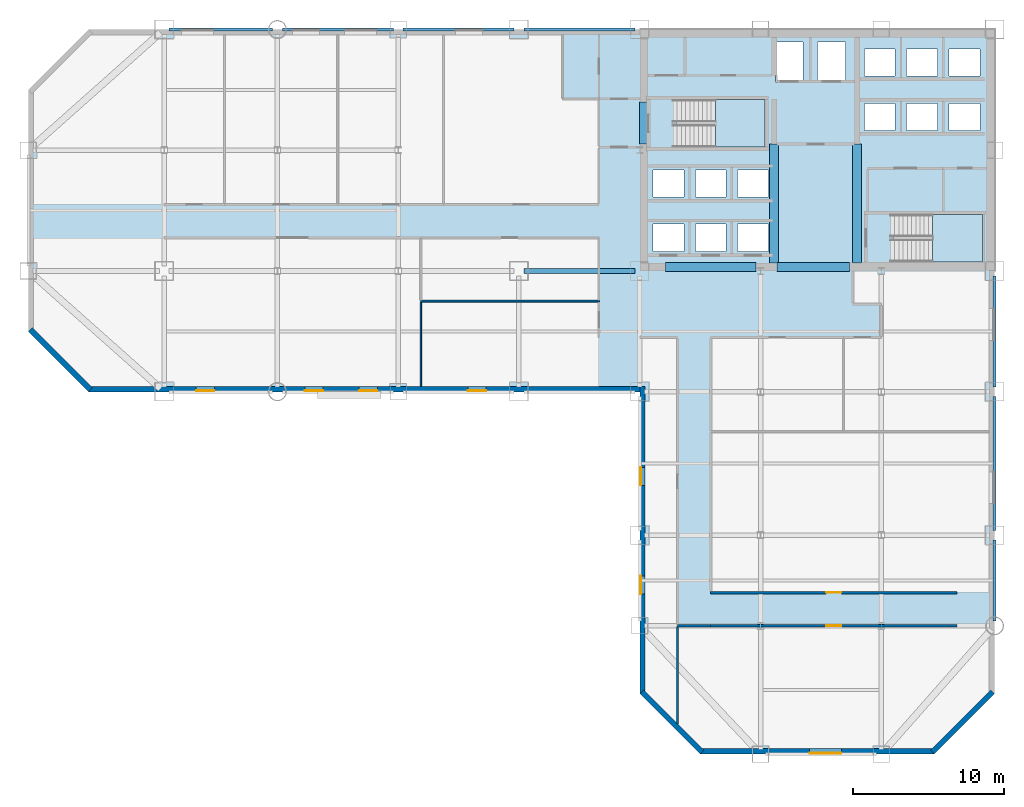
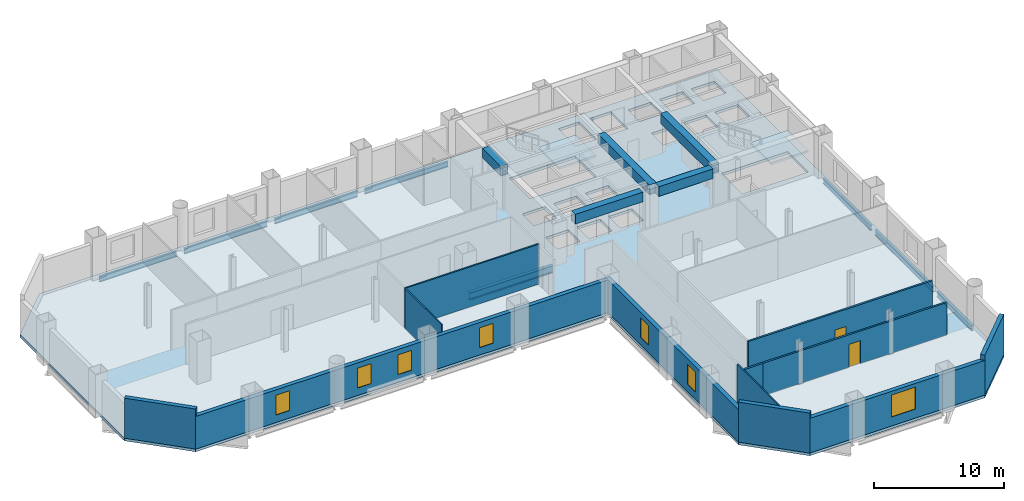
# One storey, part 4 of 9: 13 beams, 12 walls, 7 windows, 3 slabs, 2 doors, 9 openings, 2 elements without a shape of their own.
"""IFC4 building model written with IfcOpenShell, lengths in metres."""

from ifc_helpers import new_model, si_unit, direction, frame, frame_2d, origin, origin_2d, place, context, subcontext, project, spatial, polyline, rectangle, i_section, outline, extrude, material, layer, layer_set, material_profile, profile_set, type_object, element, fill, aggregate, save


model = new_model("IFC4")

# Units and contexts
model_context = context("Model", 3, precision=1e-05, world=origin(), true_north=direction((0.0, 1.0)))
body_context = subcontext(model_context, "Body", "Model", "MODEL_VIEW")
ifc_project = project(units=[si_unit("LENGTHUNIT", "METRE"), si_unit("AREAUNIT", "SQUARE_METRE"), si_unit("VOLUMEUNIT", "CUBIC_METRE"), si_unit("PLANEANGLEUNIT", "RADIAN"), si_unit("MASSUNIT", "GRAM", prefix="KILO")], contexts=[model_context])

# Site, building, storey
site_placement = place(None, origin())
site = spatial("IfcSite", under=ifc_project, at=site_placement, CompositionType="ELEMENT")
building_placement = place(site_placement, origin())
building = spatial("IfcBuilding", under=site, at=building_placement, Name="Qianrong Seaharbour Tower", CompositionType="ELEMENT")
storey_placement = place(building_placement, frame((0.0, 0.0, 80.199951171875)))
storey = spatial("IfcBuildingStorey", under=building, at=storey_placement, Name="L19", CompositionType="ELEMENT", Elevation=80.199951171875)

# Beams
ifc_material_1 = material(Name="Structural steel SN490B", Category="steel")
ifc_material_profile_1 = material_profile(ifc_material_1, i_section(OverallWidth=0.300048828125, OverallDepth=0.699951171875, WebThickness=0.012939453125, FlangeThickness=0.02392578125, FilletRadius=0.02587890625, at=origin_2d()), Name="H700x300x13x24")
ifc_profile_set_1 = profile_set([ifc_material_profile_1], Name="Structural steel SN490B")
beam_type_1 = type_object("IfcBeamType", Name="BM-G-700", PredefinedType="BEAM", material=ifc_profile_set_1)
beam_1_placement = place(storey_placement, frame((32.820068359375, 36.0, -0.599853515625), z_axis=(1.0, 0.0, 0.0), x_axis=(0.0, 1.0, 0.0)))
element("IfcBeam", 1, at=beam_1_placement, inside=storey, type_object=beam_type_1, Name="L19 Primary Girder GF G5-G6", PredefinedType="BEAM", context=body_context, shape_type="SweptSolid", body=[
    extrude(i_section(OverallWidth=0.300048828125, OverallDepth=0.699951171875, WebThickness=0.012939453125, FlangeThickness=0.02392578125, FilletRadius=0.02587890625, at=origin_2d()), origin(), (0.0, 0.0, 1.0), 7.35986328125),
])
ifc_material_2 = material(Name="Concrete C70/85", Category="concrete")
ifc_material_profile_2 = material_profile(ifc_material_2, rectangle(XDim=0.60009765625, YDim=0.89990234375, at=origin_2d()), Name="RC600x900")
ifc_profile_set_2 = profile_set([ifc_material_profile_2], Name="Concrete C70/85")
beam_type_2 = type_object("IfcBeamType", Name="BM-LINTEL-900", PredefinedType="LINTEL", material=ifc_profile_set_2)
beam_2_placement = place(storey_placement, frame((40.77001953125, 44.39990234375, 3.300048828125), z_axis=(0.0, 1.0, 0.0), x_axis=(-1.0, 0.0, 0.0)))
element("IfcBeam", 2, at=beam_2_placement, inside=storey, type_object=beam_type_2, Name="L19 Core Coupling Lintel Beam West", PredefinedType="LINTEL", context=body_context, shape_type="SweptSolid", body=[
    extrude(rectangle(XDim=0.60009765625, YDim=0.89990234375, at=origin_2d()), origin(), (0.0, 0.0, 1.0), 2.800048828125),
])
beam_3_placement = place(storey_placement, frame((42.199951171875, 36.27001953125, 3.300048828125), z_axis=(1.0, 0.0, 0.0), x_axis=(0.0, 1.0, 0.0)))
element("IfcBeam", 3, at=beam_3_placement, inside=storey, type_object=beam_type_2, Name="L19 Core Coupling Lintel Beam CBW", PredefinedType="LINTEL", context=body_context, shape_type="SweptSolid", body=[
    extrude(rectangle(XDim=0.60009765625, YDim=0.89990234375, at=origin_2d()), origin(), (0.0, 0.0, 1.0), 6.0),
])
beam_4_placement = place(storey_placement, frame((49.60009765625, 36.27001953125, 3.300048828125), z_axis=(1.0, 0.0, 0.0), x_axis=(0.0, 1.0, 0.0)))
element("IfcBeam", 4, at=beam_4_placement, inside=storey, type_object=beam_type_2, Name="L19 Core Coupling Lintel Beam CBC", PredefinedType="LINTEL", context=body_context, shape_type="SweptSolid", body=[
    extrude(rectangle(XDim=0.60009765625, YDim=0.89990234375, at=origin_2d()), origin(), (0.0, 0.0, 1.0), 4.7998046875),
])
for number, where, z_axis, x_axis, name in (
    (5, (49.39990234375, 36.5400390625, 3.300048828125), (0.0, 1.0, 0.0), (-1.0, 0.0, 0.0), "L19 Internal Core Coupling Beam IW1"),
    (6, (54.89990234375, 36.5400390625, 3.300048828125), (0.0, 1.0, 0.0), (-1.0, 0.0, 0.0), "L19 Internal Core Coupling Beam IW2"),
):
    element("IfcBeam", number, at=place(storey_placement, frame(where, z_axis=z_axis, x_axis=x_axis)), inside=storey, type_object=beam_type_2, Name=name, PredefinedType="LINTEL", context=body_context, shape_type="SweptSolid", body=[
        extrude(rectangle(XDim=0.60009765625, YDim=0.89990234375, at=origin_2d()), origin(), (0.0, 0.0, 1.0), 7.85986328125),
    ])
ifc_material_profile_3 = material_profile(ifc_material_1, i_section(OverallWidth=0.199951171875, OverallDepth=0.5, WebThickness=0.010009765625, FlangeThickness=0.01611328125, FilletRadius=0.02001953125, at=origin_2d()), Name="H500x200x10x16")
ifc_profile_set_3 = profile_set([ifc_material_profile_3], Name="Structural steel SN490B")
beam_type_3 = type_object("IfcBeamType", Name="BM-SP-500", PredefinedType="SPANDREL", material=ifc_profile_set_3)
beam_5_placement = place(storey_placement, frame((9.320068359375, 52.0, -0.5), z_axis=(1.0, 0.0, 0.0), x_axis=(0.0, 1.0, 0.0)))
element("IfcBeam", 7, at=beam_5_placement, inside=storey, type_object=beam_type_3, Name="L19 Spandrel Girder GH G2-G3", PredefinedType="SPANDREL", context=body_context, shape_type="SweptSolid", body=[
    extrude(i_section(OverallWidth=0.199951171875, OverallDepth=0.5, WebThickness=0.010009765625, FlangeThickness=0.01611328125, FilletRadius=0.02001953125, at=origin_2d()), origin(), (0.0, 0.0, 1.0), 6.85986328125),
])
for number, where, z_axis, x_axis, name in (
    (8, (16.820068359375, 52.0, -0.5), (1.0, 0.0, 0.0), (0.0, 1.0, 0.0), "L19 Spandrel Girder GH G3-G4"),
    (9, (24.820068359375, 52.0, -0.5), (1.0, 0.0, 0.0), (0.0, 1.0, 0.0), "L19 Spandrel Girder GH G4-G5"),
    (10, (32.820068359375, 52.0, -0.5), (1.0, 0.0, 0.0), (0.0, 1.0, 0.0), "L19 Spandrel Girder GH G5-G6"),
):
    element("IfcBeam", number, at=place(storey_placement, frame(where, z_axis=z_axis, x_axis=x_axis)), inside=storey, type_object=beam_type_3, Name=name, PredefinedType="SPANDREL", context=body_context, shape_type="SweptSolid", body=[
        extrude(i_section(OverallWidth=0.199951171875, OverallDepth=0.5, WebThickness=0.010009765625, FlangeThickness=0.01611328125, FilletRadius=0.02001953125, at=origin_2d()), origin(), (0.0, 0.0, 1.0), 7.35986328125),
    ])
beam_6_placement = place(storey_placement, frame((64.0, 12.820068359375, -0.5), z_axis=(0.0, 1.0, 0.0), x_axis=(-1.0, 0.0, 0.0)))
element("IfcBeam", 11, at=beam_6_placement, inside=storey, type_object=beam_type_3, Name="L19 Spandrel Girder G9 GC-GD", PredefinedType="SPANDREL", context=body_context, shape_type="SweptSolid", body=[
    extrude(i_section(OverallWidth=0.199951171875, OverallDepth=0.5, WebThickness=0.010009765625, FlangeThickness=0.01611328125, FilletRadius=0.02001953125, at=origin_2d()), origin(), (0.0, 0.0, 1.0), 5.35986328125),
])
beam_7_placement = place(storey_placement, frame((64.0, 18.820068359375, -0.5), z_axis=(0.0, 1.0, 0.0), x_axis=(-1.0, 0.0, 0.0)))
element("IfcBeam", 12, at=beam_7_placement, inside=storey, type_object=beam_type_3, Name="L19 Spandrel Girder G9 GD-GE", PredefinedType="SPANDREL", context=body_context, shape_type="SweptSolid", body=[
    extrude(i_section(OverallWidth=0.199951171875, OverallDepth=0.5, WebThickness=0.010009765625, FlangeThickness=0.01611328125, FilletRadius=0.02001953125, at=origin_2d()), origin(), (0.0, 0.0, 1.0), 8.85986328125),
])
beam_8_placement = place(storey_placement, frame((64.0, 28.320068359375, -0.5), z_axis=(0.0, 1.0, 0.0), x_axis=(-1.0, 0.0, 0.0)))
element("IfcBeam", 13, at=beam_8_placement, inside=storey, type_object=beam_type_3, Name="L19 Spandrel Girder G9 GE-GF", PredefinedType="SPANDREL", context=body_context, shape_type="SweptSolid", body=[
    extrude(i_section(OverallWidth=0.199951171875, OverallDepth=0.5, WebThickness=0.010009765625, FlangeThickness=0.01611328125, FilletRadius=0.02001953125, at=origin_2d()), origin(), (0.0, 0.0, 1.0), 7.35986328125),
])

# Stair, slab
ifc_material_3 = material(Name="Concrete C50/60", Category="concrete")
stair_type = type_object("IfcStairType", Name="STAIR-DOGLEG-1500-R22", PredefinedType="HALF_TURN_STAIR", material=ifc_material_3)
stair_1_placement = place(storey_placement, origin())
stair_1 = element("IfcStair", 14, at=stair_1_placement, inside=storey, type_object=stair_type, Name="L19 Protected Escape Stair ST-1", PredefinedType="HALF_TURN_STAIR")
ifc_layer_1 = layer(ifc_material_3, 0.199951171875)
ifc_layer_set_1 = layer_set([ifc_layer_1], Name="Concrete C50/60")
slab_type_1 = type_object("IfcSlabType", Name="SLAB-STAIR-LANDING-200", PredefinedType="LANDING", material=ifc_layer_set_1)
slab_1_placement = place(storey_placement, frame((0.0, 0.0, 1.800048828125)))
slab_1 = element("IfcSlab", 15, at=slab_1_placement, type_object=slab_type_1, Name="ST-1 landing 1", PredefinedType="LANDING", context=body_context, shape_type="SweptSolid", body=[
    extrude(outline(polyline([(45.5, 44.199951171875), (48.800048828125, 44.199951171875), (48.800048828125, 47.35009765625), (45.5, 47.35009765625), (45.5, 44.199951171875)])), origin(), (0.0, 0.0, 1.0), 0.199951171875),
])
aggregate(stair_1, [slab_1])

stair_2_placement = place(storey_placement, origin())
stair_2 = element("IfcStair", 16, at=stair_2_placement, inside=storey, type_object=stair_type, Name="L19 Protected Escape Stair ST-2", PredefinedType="HALF_TURN_STAIR")
slab_2_placement = place(storey_placement, frame((0.0, 0.0, 1.800048828125)))
slab_2 = element("IfcSlab", 17, at=slab_2_placement, type_object=slab_type_1, Name="ST-2 landing 1", PredefinedType="LANDING", context=body_context, shape_type="SweptSolid", body=[
    extrude(outline(polyline([(59.89990234375, 36.60009765625), (63.199951171875, 36.60009765625), (63.199951171875, 39.75), (59.89990234375, 39.75), (59.89990234375, 36.60009765625)])), origin(), (0.0, 0.0, 1.0), 0.199951171875),
])
aggregate(stair_2, [slab_2])

# Slab
ifc_layer_2 = layer(ifc_material_3, 0.25)
ifc_layer_set_2 = layer_set([ifc_layer_2], Name="Concrete C50/60")
slab_type_2 = type_object("IfcSlabType", Name="SLAB-Z1-250", PredefinedType="FLOOR", material=ifc_layer_set_2)
slab_3_placement = place(storey_placement, frame((0.0, 0.0, -0.25)))
element("IfcSlab", 18, at=slab_3_placement, inside=storey, type_object=slab_type_2, Name="L19 Structural Floor Slab", PredefinedType="FLOOR", context=body_context, shape_type="SweptSolid", body=[
    extrude(outline(polyline([(44.5, 4.0), (60.0, 4.0), (64.0, 8.0), (64.0, 52.0), (4.0, 52.0), (0.0, 48.0), (0.0, 32.0), (4.0, 28.0), (40.5, 28.0), (40.5, 8.0), (44.5, 4.0)]), holes=[polyline([(42.93994140625, 44.199951171875), (42.93994140625, 47.35009765625), (48.800048828125, 47.35009765625), (48.800048828125, 44.199951171875), (42.93994140625, 44.199951171875)]), polyline([(57.340087890625, 36.60009765625), (57.340087890625, 39.75), (63.199951171875, 39.75), (63.199951171875, 36.60009765625), (57.340087890625, 36.60009765625)]), polyline([(49.47998046875, 48.530029296875), (49.47998046875, 51.169921875), (51.320068359375, 51.169921875), (51.320068359375, 48.530029296875), (49.47998046875, 48.530029296875)]), polyline([(52.280029296875, 48.530029296875), (52.280029296875, 51.169921875), (54.1201171875, 51.169921875), (54.1201171875, 48.530029296875), (52.280029296875, 48.530029296875)]), polyline([(41.3798828125, 37.300048828125), (41.3798828125, 39.10009765625), (43.419921875, 39.10009765625), (43.419921875, 37.300048828125), (41.3798828125, 37.300048828125)]), polyline([(44.179931640625, 37.300048828125), (44.179931640625, 39.10009765625), (46.219970703125, 39.10009765625), (46.219970703125, 37.300048828125), (44.179931640625, 37.300048828125)]), polyline([(46.97998046875, 37.300048828125), (46.97998046875, 39.10009765625), (49.02001953125, 39.10009765625), (49.02001953125, 37.300048828125), (46.97998046875, 37.300048828125)]), polyline([(41.3798828125, 40.89990234375), (41.3798828125, 42.699951171875), (43.419921875, 42.699951171875), (43.419921875, 40.89990234375), (41.3798828125, 40.89990234375)]), polyline([(44.179931640625, 40.89990234375), (44.179931640625, 42.699951171875), (46.219970703125, 42.699951171875), (46.219970703125, 40.89990234375), (44.179931640625, 40.89990234375)]), polyline([(46.97998046875, 40.89990234375), (46.97998046875, 42.699951171875), (49.02001953125, 42.699951171875), (49.02001953125, 40.89990234375), (46.97998046875, 40.89990234375)]), polyline([(55.3798828125, 45.300048828125), (55.3798828125, 47.10009765625), (57.419921875, 47.10009765625), (57.419921875, 45.300048828125), (55.3798828125, 45.300048828125)]), polyline([(58.179931640625, 45.300048828125), (58.179931640625, 47.10009765625), (60.219970703125, 47.10009765625), (60.219970703125, 45.300048828125), (58.179931640625, 45.300048828125)]), polyline([(60.97998046875, 45.300048828125), (60.97998046875, 47.10009765625), (63.02001953125, 47.10009765625), (63.02001953125, 45.300048828125), (60.97998046875, 45.300048828125)]), polyline([(55.3798828125, 48.89990234375), (55.3798828125, 50.699951171875), (57.419921875, 50.699951171875), (57.419921875, 48.89990234375), (55.3798828125, 48.89990234375)]), polyline([(58.179931640625, 48.89990234375), (58.179931640625, 50.699951171875), (60.219970703125, 50.699951171875), (60.219970703125, 48.89990234375), (58.179931640625, 48.89990234375)]), polyline([(60.97998046875, 48.89990234375), (60.97998046875, 50.699951171875), (63.02001953125, 50.699951171875), (63.02001953125, 48.89990234375), (60.97998046875, 48.89990234375)])]), origin(), (0.0, 0.0, 1.0), 0.25),
])

# Wall
ifc_material_4 = material(Name="Fire-rated acoustic gypsum board partition")
ifc_layer_3 = layer(ifc_material_4, 0.1650390625)
ifc_layer_set_3 = layer_set([ifc_layer_3], Name="Fire-rated acoustic gypsum board partition")
wall_type_1 = type_object("IfcWallType", Name="WALL-CORR-PART-165", PredefinedType="PARTITIONING", material=ifc_layer_set_3)
wall_1_placement = place(storey_placement, frame((45.199951171875, 12.5, 0.0), z_axis=(0.0, 0.0, 1.0), x_axis=(-1.0, 0.0, 0.0)))
element("IfcWall", 19, at=wall_1_placement, inside=storey, type_object=wall_type_1, Name="L19 Interior Partition Wall 030", PredefinedType="PARTITIONING", context=body_context, shape_type="SweptSolid", body=[
    extrude(rectangle(XDim=2.199951171875, YDim=0.1650390625, at=frame_2d((1.10009765625, 0.0))), origin(), (0.0, 0.0, 1.0), 3.0419921875),
])

# Wall, opening, door
wall_2_placement = place(storey_placement, frame((61.5, 12.5, 0.0), z_axis=(0.0, 0.0, 1.0), x_axis=(-1.0, 0.0, 0.0)))
wall_2 = element("IfcWall", 20, at=wall_2_placement, inside=storey, type_object=wall_type_1, Name="L19 Interior Partition Wall 034", PredefinedType="PARTITIONING", context=body_context, shape_type="SweptSolid", body=[
    extrude(rectangle(XDim=16.300048828125, YDim=0.1650390625, at=frame_2d((8.14990234375, 0.0))), origin(), (0.0, 0.0, 1.0), 3.0419921875),
])
opening_1_placement = place(wall_2_placement, frame((7.64990234375, 0.0, 0.0)))
opening_1 = element("IfcOpeningElement", 21, at=opening_1_placement, cuts=wall_2, Name="Opening DO-01", PredefinedType="OPENING", context=body_context, shape_type="SweptSolid", body=[
    extrude(rectangle(XDim=1.0, YDim=2.14990234375, at=frame_2d((0.5, 1.074951171875))), frame((0.0, 0.092529296875, 0.0), z_axis=(0.0, -1.0, 0.0), x_axis=(1.0, 0.0, 0.0)), (0.0, 0.0, 1.0), 0.18505859375),
])
ifc_material_5 = material(Name="Acoustic timber and galvanized steel fire door assembly", Category="steel")
door_type = type_object("IfcDoorType", Name="DOOR-OFFICE-1000x2150", OperationType="NOTDEFINED", PredefinedType="DOOR", material=ifc_material_5)
door_1_placement = place(opening_1_placement, origin())
door_1 = element("IfcDoor", 22, at=door_1_placement, inside=storey, type_object=door_type, Name="L19 South Tip Open-Plan Office Door", OperationType="SINGLE_SWING_LEFT", OverallHeight=2.14990234375, OverallWidth=1.0, PredefinedType="DOOR", context=body_context, shape_type="SweptSolid", body=[
    extrude(rectangle(XDim=1.0, YDim=2.14990234375, at=frame_2d((0.5, 1.074951171875))), frame((0.0, 0.02490234375, 0.0), z_axis=(0.0, -1.0, 0.0), x_axis=(1.0, 0.0, 0.0)), (0.0, 0.0, 1.0), 0.050048828125),
])
fill(opening_1, door_1)

wall_3_placement = place(storey_placement, frame((45.199951171875, 14.699951171875, 0.0), z_axis=(0.0, 0.0, 1.0), x_axis=(1.0, 0.0, 0.0)))
wall_3 = element("IfcWall", 23, at=wall_3_placement, inside=storey, type_object=wall_type_1, Name="L19 Interior Partition Wall 035", PredefinedType="PARTITIONING", context=body_context, shape_type="SweptSolid", body=[
    extrude(rectangle(XDim=16.300048828125, YDim=0.1650390625, at=frame_2d((8.14990234375, 0.0))), origin(), (0.0, 0.0, 1.0), 3.75),
])
opening_2_placement = place(wall_3_placement, frame((7.64990234375, 0.0, 0.0)))
opening_2 = element("IfcOpeningElement", 24, at=opening_2_placement, cuts=wall_3, Name="Opening DO-01", PredefinedType="OPENING", context=body_context, shape_type="SweptSolid", body=[
    extrude(rectangle(XDim=1.0, YDim=2.14990234375, at=frame_2d((0.5, 1.074951171875))), frame((0.0, 0.092529296875, 0.0), z_axis=(0.0, -1.0, 0.0), x_axis=(1.0, 0.0, 0.0)), (0.0, 0.0, 1.0), 0.18505859375),
])
door_2_placement = place(opening_2_placement, origin())
door_2 = element("IfcDoor", 25, at=door_2_placement, inside=storey, type_object=door_type, Name="L19 Operations Open-Plan Office Door", OperationType="SINGLE_SWING_RIGHT", OverallHeight=2.14990234375, OverallWidth=1.0, PredefinedType="DOOR", context=body_context, shape_type="SweptSolid", body=[
    extrude(rectangle(XDim=1.0, YDim=2.14990234375, at=frame_2d((0.5, 1.074951171875))), frame((0.0, 0.02490234375, 0.0), z_axis=(0.0, -1.0, 0.0), x_axis=(1.0, 0.0, 0.0)), (0.0, 0.0, 1.0), 0.050048828125),
])
fill(opening_2, door_2)

# Walls
ifc_material_6 = material(Name="Demountable aluminium-framed acoustic office partition", Category="aluminium")
ifc_layer_4 = layer(ifc_material_6, 0.110107421875)
ifc_layer_set_4 = layer_set([ifc_layer_4], Name="Demountable aluminium-framed acoustic office partition")
wall_type_2 = type_object("IfcWallType", Name="WALL-DEMOUNT-110", PredefinedType="MOVABLE", material=ifc_layer_set_4)
wall_4_placement = place(storey_placement, frame((43.0, 5.997802734375, 0.0), z_axis=(0.0, 0.0, 1.0), x_axis=(0.0, 1.0, 0.0)))
element("IfcWall", 26, at=wall_4_placement, inside=storey, type_object=wall_type_2, Name="L19 Interior Partition Wall 036", PredefinedType="MOVABLE", context=body_context, shape_type="SweptSolid", body=[
    extrude(rectangle(XDim=6.427734375, YDim=0.110107421875, at=frame_2d((3.2138671875, 0.0))), origin(), (0.0, 0.0, 1.0), 3.75),
])
wall_5_placement = place(storey_placement, frame((26.0, 33.943115234375, 0.0), z_axis=(0.0, 0.0, 1.0), x_axis=(0.0, -1.0, 0.0)))
element("IfcWall", 27, at=wall_5_placement, inside=storey, type_object=wall_type_2, Name="L19 Interior Partition Wall 043", PredefinedType="MOVABLE", context=body_context, shape_type="SweptSolid", body=[
    extrude(rectangle(XDim=5.591064453125, YDim=0.110107421875, at=frame_2d((2.79541015625, 0.0))), origin(), (0.0, 0.0, 1.0), 3.75),
])

# Wall, openings, windows
ifc_material_7 = material(Name="Unitised red brick on Precast concrete C45/55", Category="masonry")
ifc_layer_5 = layer(ifc_material_7, 0.360107421875)
ifc_layer_set_5 = layer_set([ifc_layer_5], Name="Unitised red brick on Precast concrete C45/55")
wall_type_3 = type_object("IfcWallType", Name="WALL-EXT-BRICK-RED-360", PredefinedType="SOLIDWALL", material=ifc_layer_set_5)
wall_6_placement = place(storey_placement, frame((40.679931640625, 8.0, 0.0), z_axis=(0.0, 0.0, 1.0), x_axis=(0.0, 1.0, 0.0)))
wall_6 = element("IfcWall", 28, at=wall_6_placement, inside=storey, type_object=wall_type_3, Name="L19 Exterior Masonry Facade Wall REENTRANT_WEST", PredefinedType="SOLIDWALL", context=body_context, shape_type="SweptSolid", body=[
    extrude(rectangle(XDim=20.360107421875, YDim=0.360107421875, at=frame_2d((10.18017578125, 0.0))), origin(), (0.0, 0.0, 1.0), 3.050048828125),
])
opening_3_placement = place(wall_6_placement, frame((6.60009765625, 0.0, 0.699951171875)))
opening_3 = element("IfcOpeningElement", 29, at=opening_3_placement, cuts=wall_6, Name="Opening WN-01", PredefinedType="OPENING", context=body_context, shape_type="SweptSolid", body=[
    extrude(rectangle(XDim=1.199951171875, YDim=1.85009765625, at=frame_2d((0.60009765625, 0.925048828125))), frame((0.0, 0.18994140625, 0.0), z_axis=(0.0, -1.0, 0.0), x_axis=(1.0, 0.0, 0.0)), (0.0, 0.0, 1.0), 0.380126953125),
])
opening_4_placement = place(wall_6_placement, frame((13.800048828125, 0.0, 0.699951171875)))
opening_4 = element("IfcOpeningElement", 30, at=opening_4_placement, cuts=wall_6, Name="Opening WN-01", PredefinedType="OPENING", context=body_context, shape_type="SweptSolid", body=[
    extrude(rectangle(XDim=1.199951171875, YDim=1.85009765625, at=frame_2d((0.60009765625, 0.925048828125))), frame((0.0, 0.18994140625, 0.0), z_axis=(0.0, -1.0, 0.0), x_axis=(1.0, 0.0, 0.0)), (0.0, 0.0, 1.0), 0.380126953125),
])
ifc_material_8 = material(Name="Insulated low-e double glazing in thermally broken aluminium 6063-T6 frame", Category="aluminium")
window_type_1 = type_object("IfcWindowType", Name="WIN-PUNCH-1200x1850", PartitioningType="DOUBLE_PANEL_VERTICAL", PredefinedType="WINDOW", material=ifc_material_8)
window_1_placement = place(opening_3_placement, origin())
window_1 = element("IfcWindow", 31, at=window_1_placement, inside=storey, type_object=window_type_1, Name="L19 Deep-Set Punched Window 00.02", OverallHeight=1.85009765625, OverallWidth=1.199951171875, PartitioningType="DOUBLE_PANEL_VERTICAL", PredefinedType="WINDOW", context=body_context, shape_type="SweptSolid", body=[
    extrude(rectangle(XDim=1.199951171875, YDim=1.85009765625, at=frame_2d((0.60009765625, 0.925048828125))), frame((0.0, 0.150146484375, 0.0), z_axis=(0.0, -1.0, 0.0), x_axis=(1.0, 0.0, 0.0)), (0.0, 0.0, 1.0), 0.06005859375),
])
fill(opening_3, window_1)
window_2_placement = place(opening_4_placement, origin())
window_2 = element("IfcWindow", 32, at=window_2_placement, inside=storey, type_object=window_type_1, Name="L19 Deep-Set Punched Window 00.04", OverallHeight=1.85009765625, OverallWidth=1.199951171875, PartitioningType="DOUBLE_PANEL_VERTICAL", PredefinedType="WINDOW", context=body_context, shape_type="SweptSolid", body=[
    extrude(rectangle(XDim=1.199951171875, YDim=1.85009765625, at=frame_2d((0.60009765625, 0.925048828125))), frame((0.0, 0.150146484375, 0.0), z_axis=(0.0, -1.0, 0.0), x_axis=(1.0, 0.0, 0.0)), (0.0, 0.0, 1.0), 0.06005859375),
])
fill(opening_4, window_2)

wall_7_placement = place(storey_placement, frame((40.52001953125, 28.179931640625, 0.0), z_axis=(0.0, 0.0, 1.0), x_axis=(-1.0, 0.0, 0.0)))
wall_7 = element("IfcWall", 33, at=wall_7_placement, inside=storey, type_object=wall_type_3, Name="L19 Exterior Masonry Facade Wall HARBOUR_RIBBON", PredefinedType="SOLIDWALL", context=body_context, shape_type="SweptSolid", body=[
    extrude(rectangle(XDim=36.52001953125, YDim=0.360107421875, at=frame_2d((18.260009765625, 0.0))), origin(), (0.0, 0.0, 1.0), 3.050048828125),
])
opening_5_placement = place(wall_7_placement, frame((10.199951171875, 0.0, 0.699951171875)))
opening_5 = element("IfcOpeningElement", 34, at=opening_5_placement, cuts=wall_7, Name="Opening WN-01", PredefinedType="OPENING", context=body_context, shape_type="SweptSolid", body=[
    extrude(rectangle(XDim=1.199951171875, YDim=1.85009765625, at=frame_2d((0.60009765625, 0.925048828125))), frame((0.0, 0.18994140625, 0.0), z_axis=(0.0, -1.0, 0.0), x_axis=(1.0, 0.0, 0.0)), (0.0, 0.0, 1.0), 0.380126953125),
])
opening_6_placement = place(wall_7_placement, frame((17.39990234375, 0.0, 0.699951171875)))
opening_6 = element("IfcOpeningElement", 35, at=opening_6_placement, cuts=wall_7, Name="Opening WN-01", PredefinedType="OPENING", context=body_context, shape_type="SweptSolid", body=[
    extrude(rectangle(XDim=1.199951171875, YDim=1.85009765625, at=frame_2d((0.60009765625, 0.925048828125))), frame((0.0, 0.18994140625, 0.0), z_axis=(0.0, -1.0, 0.0), x_axis=(1.0, 0.0, 0.0)), (0.0, 0.0, 1.0), 0.380126953125),
])
opening_7_placement = place(wall_7_placement, frame((21.0, 0.0, 0.699951171875)))
opening_7 = element("IfcOpeningElement", 36, at=opening_7_placement, cuts=wall_7, Name="Opening WN-01", PredefinedType="OPENING", context=body_context, shape_type="SweptSolid", body=[
    extrude(rectangle(XDim=1.199951171875, YDim=1.85009765625, at=frame_2d((0.60009765625, 0.925048828125))), frame((0.0, 0.18994140625, 0.0), z_axis=(0.0, -1.0, 0.0), x_axis=(1.0, 0.0, 0.0)), (0.0, 0.0, 1.0), 0.380126953125),
])
opening_8_placement = place(wall_7_placement, frame((28.199951171875, 0.0, 0.699951171875)))
opening_8 = element("IfcOpeningElement", 37, at=opening_8_placement, cuts=wall_7, Name="Opening WN-01", PredefinedType="OPENING", context=body_context, shape_type="SweptSolid", body=[
    extrude(rectangle(XDim=1.199951171875, YDim=1.85009765625, at=frame_2d((0.60009765625, 0.925048828125))), frame((0.0, 0.18994140625, 0.0), z_axis=(0.0, -1.0, 0.0), x_axis=(1.0, 0.0, 0.0)), (0.0, 0.0, 1.0), 0.380126953125),
])
window_3_placement = place(opening_5_placement, origin())
window_3 = element("IfcWindow", 38, at=window_3_placement, inside=storey, type_object=window_type_1, Name="L19 Deep-Set Punched Window 01.03", OverallHeight=1.85009765625, OverallWidth=1.199951171875, PartitioningType="DOUBLE_PANEL_VERTICAL", PredefinedType="WINDOW", context=body_context, shape_type="SweptSolid", body=[
    extrude(rectangle(XDim=1.199951171875, YDim=1.85009765625, at=frame_2d((0.60009765625, 0.925048828125))), frame((0.0, 0.150146484375, 0.0), z_axis=(0.0, -1.0, 0.0), x_axis=(1.0, 0.0, 0.0)), (0.0, 0.0, 1.0), 0.06005859375),
])
fill(opening_5, window_3)
window_4_placement = place(opening_6_placement, origin())
window_4 = element("IfcWindow", 39, at=window_4_placement, inside=storey, type_object=window_type_1, Name="L19 Deep-Set Punched Window 01.05", OverallHeight=1.85009765625, OverallWidth=1.199951171875, PartitioningType="DOUBLE_PANEL_VERTICAL", PredefinedType="WINDOW", context=body_context, shape_type="SweptSolid", body=[
    extrude(rectangle(XDim=1.199951171875, YDim=1.85009765625, at=frame_2d((0.60009765625, 0.925048828125))), frame((0.0, 0.150146484375, 0.0), z_axis=(0.0, -1.0, 0.0), x_axis=(1.0, 0.0, 0.0)), (0.0, 0.0, 1.0), 0.06005859375),
])
fill(opening_6, window_4)
window_5_placement = place(opening_7_placement, origin())
window_5 = element("IfcWindow", 40, at=window_5_placement, inside=storey, type_object=window_type_1, Name="L19 Deep-Set Punched Window 01.06", OverallHeight=1.85009765625, OverallWidth=1.199951171875, PartitioningType="DOUBLE_PANEL_VERTICAL", PredefinedType="WINDOW", context=body_context, shape_type="SweptSolid", body=[
    extrude(rectangle(XDim=1.199951171875, YDim=1.85009765625, at=frame_2d((0.60009765625, 0.925048828125))), frame((0.0, 0.150146484375, 0.0), z_axis=(0.0, -1.0, 0.0), x_axis=(1.0, 0.0, 0.0)), (0.0, 0.0, 1.0), 0.06005859375),
])
fill(opening_7, window_5)
window_6_placement = place(opening_8_placement, origin())
window_6 = element("IfcWindow", 41, at=window_6_placement, inside=storey, type_object=window_type_1, Name="L19 Deep-Set Punched Window 01.08", OverallHeight=1.85009765625, OverallWidth=1.199951171875, PartitioningType="DOUBLE_PANEL_VERTICAL", PredefinedType="WINDOW", context=body_context, shape_type="SweptSolid", body=[
    extrude(rectangle(XDim=1.199951171875, YDim=1.85009765625, at=frame_2d((0.60009765625, 0.925048828125))), frame((0.0, 0.150146484375, 0.0), z_axis=(0.0, -1.0, 0.0), x_axis=(1.0, 0.0, 0.0)), (0.0, 0.0, 1.0), 0.06005859375),
])
fill(opening_8, window_6)

# Walls
for number, where, z_axis, x_axis, name in (
    (42, (4.127197265625, 28.127197265625, 0.0), (0.0, 0.0, 1.0), (-0.707106781187, 0.707106781187, 0.0), "L19 Exterior Masonry Facade Wall E02"),
    (43, (63.872802734375, 8.127197265625, 0.0), (0.0, 0.0, 1.0), (-0.707106781187, -0.707106781187, 0.0), "L19 Exterior Masonry Facade Wall E07"),
):
    element("IfcWall", number, at=place(storey_placement, frame(where, z_axis=z_axis, x_axis=x_axis)), inside=storey, type_object=wall_type_3, Name=name, PredefinedType="SOLIDWALL", context=body_context, shape_type="SweptSolid", body=[
        extrude(rectangle(XDim=5.65673828125, YDim=0.360107421875, at=frame_2d((2.828369140625, 0.0))), origin(), (0.0, 0.0, 1.0), 3.75),
    ])

# Wall, opening, window
wall_8_placement = place(storey_placement, frame((60.0, 4.179931640625, 0.0), z_axis=(0.0, 0.0, 1.0), x_axis=(-1.0, 0.0, 0.0)))
wall_8 = element("IfcWall", 44, at=wall_8_placement, inside=storey, type_object=wall_type_3, Name="L19 Exterior Masonry Facade Wall SOUTH_TIP", PredefinedType="SOLIDWALL", context=body_context, shape_type="SweptSolid", body=[
    extrude(rectangle(XDim=15.5, YDim=0.360107421875, at=frame_2d((7.75, 0.0))), origin(), (0.0, 0.0, 1.0), 3.25),
])
opening_9_placement = place(wall_8_placement, frame((6.14990234375, 0.0, 0.85009765625)))
opening_9 = element("IfcOpeningElement", 45, at=opening_9_placement, cuts=wall_8, Name="Opening WN-06", PredefinedType="OPENING", context=body_context, shape_type="SweptSolid", body=[
    extrude(rectangle(XDim=2.10009765625, YDim=2.050048828125, at=frame_2d((1.050048828125, 1.02490234375))), frame((0.0, 0.18994140625, 0.0), z_axis=(0.0, -1.0, 0.0), x_axis=(1.0, 0.0, 0.0)), (0.0, 0.0, 1.0), 0.380126953125),
])
window_type_2 = type_object("IfcWindowType", Name="WIN-PUNCH-2100x2050", PartitioningType="TRIPLE_PANEL_VERTICAL", PredefinedType="WINDOW", material=ifc_material_8)
window_7_placement = place(opening_9_placement, origin())
window_7 = element("IfcWindow", 46, at=window_7_placement, inside=storey, type_object=window_type_2, Name="L19 Deep-Set Punched Window 08.02", OverallHeight=2.050048828125, OverallWidth=2.10009765625, PartitioningType="TRIPLE_PANEL_VERTICAL", PredefinedType="WINDOW", context=body_context, shape_type="SweptSolid", body=[
    extrude(rectangle(XDim=2.10009765625, YDim=2.050048828125, at=frame_2d((1.050048828125, 1.02490234375))), frame((0.0, 0.150146484375, 0.0), z_axis=(0.0, -1.0, 0.0), x_axis=(1.0, 0.0, 0.0)), (0.0, 0.0, 1.0), 0.06005859375),
])
fill(opening_9, window_7)

# Walls
wall_9_placement = place(storey_placement, frame((44.627197265625, 4.127197265625, 0.0), z_axis=(0.0, 0.0, 1.0), x_axis=(-0.707106781187, 0.707106781187, 0.0)))
element("IfcWall", 47, at=wall_9_placement, inside=storey, type_object=wall_type_3, Name="L19 Exterior Masonry Facade Wall E09", PredefinedType="SOLIDWALL", context=body_context, shape_type="SweptSolid", body=[
    extrude(rectangle(XDim=5.65673828125, YDim=0.360107421875, at=frame_2d((2.828369140625, 0.0))), origin(), (0.0, 0.0, 1.0), 3.75),
])
ifc_material_9 = material(Name="Water-resistant cement board sanitary partition")
ifc_layer_6 = layer(ifc_material_9, 0.1298828125)
ifc_layer_set_6 = layer_set([ifc_layer_6], Name="Water-resistant cement board sanitary partition")
wall_type_4 = type_object("IfcWallType", Name="WALL-WET-PART-130", PredefinedType="PARTITIONING", material=ifc_layer_set_6)
wall_10_placement = place(storey_placement, frame((26.0, 34.0, 0.0), z_axis=(0.0, 0.0, 1.0), x_axis=(1.0, 0.0, 0.0)))
element("IfcWall", 48, at=wall_10_placement, inside=storey, type_object=wall_type_4, Name="L19 Interior Partition Wall 045", PredefinedType="PARTITIONING", context=body_context, shape_type="SweptSolid", body=[
    extrude(rectangle(XDim=11.800048828125, YDim=0.1298828125, at=frame_2d((5.89990234375, 0.0))), origin(), (0.0, 0.0, 1.0), 3.75),
])

save(model, "model.ifc")
